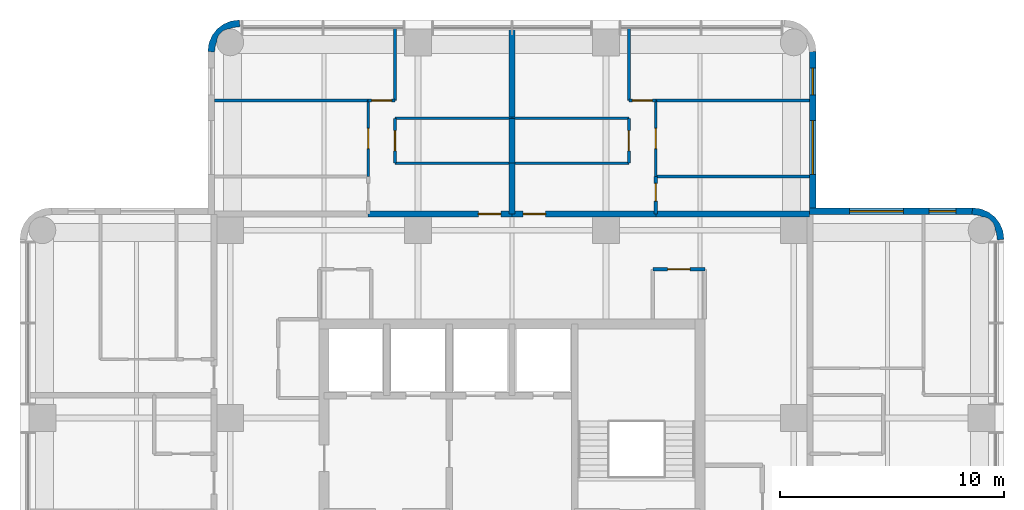
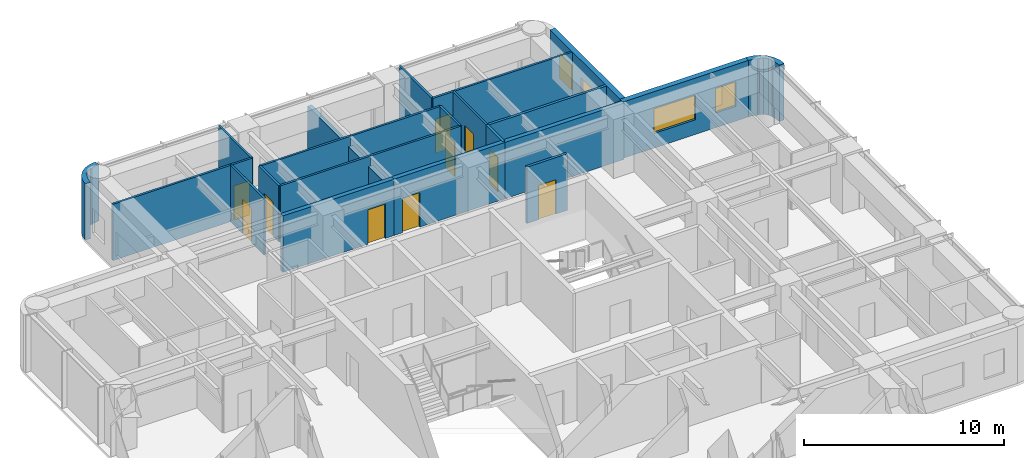
# One storey, part 8 of 10: 27 walls, 10 doors, 4 windows, 14 openings.
"""IFC4 building model written with IfcOpenShell, lengths in metres."""

from ifc_helpers import new_model, si_unit, direction, frame, frame_2d, origin, place, context, subcontext, project, spatial, polyline, rectangle, outline, extrude, material, layer, layer_set, type_object, element, fill, save


model = new_model("IFC4")

# Units and contexts
model_context = context("Model", 3, precision=1e-05, world=origin(), true_north=direction((0.0, 1.0)))
body_context = subcontext(model_context, "Body", "Model", "MODEL_VIEW")
ifc_project = project(units=[si_unit("LENGTHUNIT", "METRE"), si_unit("AREAUNIT", "SQUARE_METRE"), si_unit("VOLUMEUNIT", "CUBIC_METRE"), si_unit("PLANEANGLEUNIT", "RADIAN"), si_unit("MASSUNIT", "GRAM", prefix="KILO")], contexts=[model_context])

# Site, building, storey
site_placement = place(None, origin())
site = spatial("IfcSite", under=ifc_project, at=site_placement, CompositionType="ELEMENT")
building_placement = place(site_placement, origin())
building = spatial("IfcBuilding", under=site, at=building_placement, Name="Torre Alcanfor", CompositionType="ELEMENT")
storey_placement = place(building_placement, frame((0.0, 0.0, 286.5)))
storey = spatial("IfcBuildingStorey", under=building, at=storey_placement, Name="L75", CompositionType="ELEMENT", Elevation=286.5)

# Wall, opening, door
ifc_material_1 = material(Name="Concrete block masonry, hollow blocks NMX-C-404 9 MPa", Category="masonry")
ifc_layer_1 = layer(ifc_material_1, 0.25)
ifc_layer_set_1 = layer_set([ifc_layer_1], Name="Apartment entrance wall 250 EI 60")
wall_type_1 = type_object("IfcWallType", Name="Apartment entrance wall 250 EI 60", PredefinedType="PARTITIONING", material=ifc_layer_set_1)
wall_1_placement = place(storey_placement, frame((22.970947265625, 42.72509765625, 0.0), z_axis=(0.0, 0.0, 1.0), x_axis=(1.0, 0.0, 0.0)))
wall_1 = element("IfcWall", 1, at=wall_1_placement, inside=storey, type_object=wall_type_1, Name="Partition L75-CORR / L75-N1-LIVING", PredefinedType="PARTITIONING", context=body_context, shape_type="SweptSolid", body=[
    extrude(rectangle(XDim=6.428955078125, YDim=0.25, at=frame_2d((3.21435546875, 0.0))), origin(), (0.0, 0.0, 1.0), 3.449951171875),
])
opening_1_placement = place(wall_1_placement, frame((4.928955078125, 0.0, 0.0)))
opening_1 = element("IfcOpeningElement", 2, at=opening_1_placement, cuts=wall_1, Name="Opening D-A1", PredefinedType="OPENING", context=body_context, shape_type="SweptSolid", body=[
    extrude(rectangle(XDim=1.0, YDim=2.10009765625, at=frame_2d((0.5, 1.050048828125))), frame((0.0, 0.135009765625, 0.0), z_axis=(0.0, -1.0, 0.0), x_axis=(1.0, 0.0, 0.0)), (0.0, 0.0, 1.0), 0.27001953125),
])
ifc_material_2 = material(Name="Galvanised steel sheet ASTM A653", Category="steel")
door_type_1 = type_object("IfcDoorType", Name="Apartment entrance door FD60 1000x2100", OperationType="SINGLE_SWING_LEFT", PredefinedType="DOOR", material=ifc_material_2)
door_1_placement = place(opening_1_placement, origin())
door_1 = element("IfcDoor", 3, at=door_1_placement, inside=storey, type_object=door_type_1, Name="Apartment entrance L75-N1", OperationType="SINGLE_SWING_RIGHT", OverallHeight=2.10009765625, OverallWidth=1.0, PredefinedType="DOOR", context=body_context, shape_type="SweptSolid", body=[
    extrude(rectangle(XDim=1.0, YDim=2.10009765625, at=frame_2d((0.5, 1.050048828125))), frame((0.0, 0.02490234375, 0.0), z_axis=(0.0, -1.0, 0.0), x_axis=(1.0, 0.0, 0.0)), (0.0, 0.0, 1.0), 0.050048828125),
])
fill(opening_1, door_1)

wall_2_placement = place(storey_placement, frame((29.39990234375, 42.72509765625, 0.0), z_axis=(0.0, 0.0, 1.0), x_axis=(1.0, 0.0, 0.0)))
wall_2 = element("IfcWall", 4, at=wall_2_placement, inside=storey, type_object=wall_type_1, Name="Partition L75-CORR / L75-N2-LIVING", PredefinedType="PARTITIONING", context=body_context, shape_type="SweptSolid", body=[
    extrude(rectangle(XDim=6.42919921875, YDim=0.25, at=frame_2d((3.214599609375, 0.0))), origin(), (0.0, 0.0, 1.0), 3.449951171875),
])
opening_2_placement = place(wall_2_placement, frame((0.5, 0.0, 0.0)))
opening_2 = element("IfcOpeningElement", 5, at=opening_2_placement, cuts=wall_2, Name="Opening D-A1", PredefinedType="OPENING", context=body_context, shape_type="SweptSolid", body=[
    extrude(rectangle(XDim=1.0, YDim=2.10009765625, at=frame_2d((0.5, 1.050048828125))), frame((0.0, 0.135009765625, 0.0), z_axis=(0.0, -1.0, 0.0), x_axis=(1.0, 0.0, 0.0)), (0.0, 0.0, 1.0), 0.27001953125),
])
door_2_placement = place(opening_2_placement, origin())
door_2 = element("IfcDoor", 6, at=door_2_placement, inside=storey, type_object=door_type_1, Name="Apartment entrance L75-N2", OperationType="SINGLE_SWING_LEFT", OverallHeight=2.10009765625, OverallWidth=1.0, PredefinedType="DOOR", context=body_context, shape_type="SweptSolid", body=[
    extrude(rectangle(XDim=1.0, YDim=2.10009765625, at=frame_2d((0.5, 1.050048828125))), frame((0.0, 0.02490234375, 0.0), z_axis=(0.0, -1.0, 0.0), x_axis=(1.0, 0.0, 0.0)), (0.0, 0.0, 1.0), 0.050048828125),
])
fill(opening_2, door_2)

# Walls
wall_3_placement = place(storey_placement, frame((35.8291015625, 42.72509765625, 0.0), z_axis=(0.0, 0.0, 1.0), x_axis=(1.0, 0.0, 0.0)))
element("IfcWall", 7, at=wall_3_placement, inside=storey, type_object=wall_type_1, Name="Partition L75-CORR / L75-N2-BATH", PredefinedType="PARTITIONING", context=body_context, shape_type="SweptSolid", body=[
    extrude(rectangle(XDim=6.870849609375, YDim=0.25, at=frame_2d((3.435546875, 0.0))), origin(), (0.0, 0.0, 1.0), 3.449951171875),
])
ifc_material_3 = material(Name="Gypsum board on steel studs", Category="steel")
ifc_layer_2 = layer(ifc_material_3, 0.1201171875)
ifc_layer_set_2 = layer_set([ifc_layer_2], Name="Apartment partition 120")
wall_type_2 = type_object("IfcWallType", Name="Apartment partition 120", PredefinedType="PARTITIONING", material=ifc_layer_set_2)
wall_4_placement = place(storey_placement, frame((29.39990234375, 47.0, 0.0), z_axis=(0.0, 0.0, 1.0), x_axis=(-1.0, 0.0, 0.0)))
element("IfcWall", 8, at=wall_4_placement, inside=storey, type_object=wall_type_2, Name="Partition L75-N1-KITCHEN / L75-N1-LIVING", PredefinedType="PARTITIONING", context=body_context, shape_type="SweptSolid", body=[
    extrude(rectangle(XDim=5.22900390625, YDim=0.1201171875, at=frame_2d((2.614501953125, 0.0))), origin(), (0.0, 0.0, 1.0), 3.449951171875),
])

# Wall, opening, door
wall_5_placement = place(storey_placement, frame((24.1708984375, 47.0, 0.0), z_axis=(0.0, 0.0, 1.0), x_axis=(0.0, -1.0, 0.0)))
wall_5 = element("IfcWall", 9, at=wall_5_placement, inside=storey, type_object=wall_type_2, Name="Partition L75-N1-KITCHEN / L75-N1-LIVING", PredefinedType="PARTITIONING", context=body_context, shape_type="SweptSolid", body=[
    extrude(rectangle(XDim=2.0, YDim=0.1201171875, at=frame_2d((1.0, 0.0))), origin(), (0.0, 0.0, 1.0), 3.449951171875),
])
opening_3_placement = place(wall_5_placement, frame((0.550048828125, 0.0, 0.0)))
opening_3 = element("IfcOpeningElement", 10, at=opening_3_placement, cuts=wall_5, Name="Opening D-R1", PredefinedType="OPENING", context=body_context, shape_type="SweptSolid", body=[
    extrude(rectangle(XDim=0.89990234375, YDim=2.10009765625, at=frame_2d((0.449951171875, 1.050048828125))), frame((0.0, 0.070068359375, 0.0), z_axis=(0.0, -1.0, 0.0), x_axis=(1.0, 0.0, 0.0)), (0.0, 0.0, 1.0), 0.14013671875),
])
ifc_material_4 = material(Name="Timber", Category="wood")
door_type_2 = type_object("IfcDoorType", Name="Internal door 900x2100", OperationType="SINGLE_SWING_LEFT", PredefinedType="DOOR", material=ifc_material_4)
door_3_placement = place(opening_3_placement, origin())
door_3 = element("IfcDoor", 11, at=door_3_placement, inside=storey, type_object=door_type_2, Name="Door L75-N1 kitchen", OperationType="SINGLE_SWING_LEFT", OverallHeight=2.10009765625, OverallWidth=0.89990234375, PredefinedType="DOOR", context=body_context, shape_type="SweptSolid", body=[
    extrude(rectangle(XDim=0.89990234375, YDim=2.10009765625, at=frame_2d((0.449951171875, 1.050048828125))), frame((0.0, 0.02490234375, 0.0), z_axis=(0.0, -1.0, 0.0), x_axis=(1.0, 0.0, 0.0)), (0.0, 0.0, 1.0), 0.050048828125),
])
fill(opening_3, door_3)

# Wall
wall_6_placement = place(storey_placement, frame((24.1708984375, 45.0, 0.0), z_axis=(0.0, 0.0, 1.0), x_axis=(1.0, 0.0, 0.0)))
element("IfcWall", 12, at=wall_6_placement, inside=storey, type_object=wall_type_2, Name="Partition L75-N1-KITCHEN / L75-N1-LIVING", PredefinedType="PARTITIONING", context=body_context, shape_type="SweptSolid", body=[
    extrude(rectangle(XDim=5.22900390625, YDim=0.1201171875, at=frame_2d((2.614501953125, 0.0))), origin(), (0.0, 0.0, 1.0), 3.449951171875),
])

# Wall, opening, door
wall_7_placement = place(storey_placement, frame((22.970947265625, 44.39990234375, 0.0), z_axis=(0.0, 0.0, 1.0), x_axis=(0.0, 1.0, 0.0)))
wall_7 = element("IfcWall", 13, at=wall_7_placement, inside=storey, type_object=wall_type_2, Name="Partition L75-N1-LIVING / L75-N1-STUDY", PredefinedType="PARTITIONING", context=body_context, shape_type="SweptSolid", body=[
    extrude(rectangle(XDim=3.400146484375, YDim=0.1201171875, at=frame_2d((1.7001953125, 0.0))), origin(), (0.0, 0.0, 1.0), 3.449951171875),
])
opening_4_placement = place(wall_7_placement, frame((1.25, 0.0, 0.0)))
opening_4 = element("IfcOpeningElement", 14, at=opening_4_placement, cuts=wall_7, Name="Opening D-R1", PredefinedType="OPENING", context=body_context, shape_type="SweptSolid", body=[
    extrude(rectangle(XDim=0.89990234375, YDim=2.10009765625, at=frame_2d((0.449951171875, 1.050048828125))), frame((0.0, 0.070068359375, 0.0), z_axis=(0.0, -1.0, 0.0), x_axis=(1.0, 0.0, 0.0)), (0.0, 0.0, 1.0), 0.14013671875),
])
door_4_placement = place(opening_4_placement, origin())
door_4 = element("IfcDoor", 15, at=door_4_placement, inside=storey, type_object=door_type_2, Name="Door L75-N1 study", OperationType="SINGLE_SWING_LEFT", OverallHeight=2.10009765625, OverallWidth=0.89990234375, PredefinedType="DOOR", context=body_context, shape_type="SweptSolid", body=[
    extrude(rectangle(XDim=0.89990234375, YDim=2.10009765625, at=frame_2d((0.449951171875, 1.050048828125))), frame((0.0, 0.02490234375, 0.0), z_axis=(0.0, -1.0, 0.0), x_axis=(1.0, 0.0, 0.0)), (0.0, 0.0, 1.0), 0.050048828125),
])
fill(opening_4, door_4)

wall_8_placement = place(storey_placement, frame((22.970947265625, 47.800048828125, 0.0), z_axis=(0.0, 0.0, 1.0), x_axis=(1.0, 0.0, 0.0)))
wall_8 = element("IfcWall", 16, at=wall_8_placement, inside=storey, type_object=wall_type_2, Name="Partition L75-N1-LIVING / L75-N1-MASTER", PredefinedType="PARTITIONING", context=body_context, shape_type="SweptSolid", body=[
    extrude(rectangle(XDim=1.199951171875, YDim=0.1201171875, at=frame_2d((0.60009765625, 0.0))), origin(), (0.0, 0.0, 1.0), 3.449951171875),
])
opening_5_placement = place(wall_8_placement, frame((0.14892578125, 0.0, 0.0)))
opening_5 = element("IfcOpeningElement", 17, at=opening_5_placement, cuts=wall_8, Name="Opening D-R1", PredefinedType="OPENING", context=body_context, shape_type="SweptSolid", body=[
    extrude(rectangle(XDim=0.89990234375, YDim=2.10009765625, at=frame_2d((0.449951171875, 1.050048828125))), frame((0.0, 0.070068359375, 0.0), z_axis=(0.0, -1.0, 0.0), x_axis=(1.0, 0.0, 0.0)), (0.0, 0.0, 1.0), 0.14013671875),
])
door_5_placement = place(opening_5_placement, origin())
door_5 = element("IfcDoor", 18, at=door_5_placement, inside=storey, type_object=door_type_2, Name="Door L75-N1 master", OperationType="SINGLE_SWING_RIGHT", OverallHeight=2.10009765625, OverallWidth=0.89990234375, PredefinedType="DOOR", context=body_context, shape_type="SweptSolid", body=[
    extrude(rectangle(XDim=0.89990234375, YDim=2.10009765625, at=frame_2d((0.449951171875, 1.050048828125))), frame((0.0, 0.02490234375, 0.0), z_axis=(0.0, -1.0, 0.0), x_axis=(1.0, 0.0, 0.0)), (0.0, 0.0, 1.0), 0.050048828125),
])
fill(opening_5, door_5)

# Walls
wall_9_placement = place(storey_placement, frame((24.1708984375, 47.800048828125, 0.0), z_axis=(0.0, 0.0, 1.0), x_axis=(0.0, 1.0, 0.0)))
element("IfcWall", 19, at=wall_9_placement, inside=storey, type_object=wall_type_2, Name="Partition L75-N1-LIVING / L75-N1-MASTER", PredefinedType="PARTITIONING", context=body_context, shape_type="SweptSolid", body=[
    extrude(rectangle(XDim=3.25, YDim=0.1201171875, at=frame_2d((1.625, 0.0))), origin(), (0.0, 0.0, 1.0), 3.449951171875),
])
wall_10_placement = place(storey_placement, frame((22.970947265625, 47.800048828125, 0.0), z_axis=(0.0, 0.0, 1.0), x_axis=(-1.0, 0.0, 0.0)))
element("IfcWall", 20, at=wall_10_placement, inside=storey, type_object=wall_type_2, Name="Partition L75-N1-STUDY / L75-N1-MASTER", PredefinedType="PARTITIONING", context=body_context, shape_type="SweptSolid", body=[
    extrude(rectangle(XDim=6.870849609375, YDim=0.1201171875, at=frame_2d((3.435546875, 0.0))), origin(), (0.0, 0.0, 1.0), 3.449951171875),
])
wall_11_placement = place(storey_placement, frame((29.39990234375, 47.0, 0.0), z_axis=(0.0, 0.0, 1.0), x_axis=(1.0, 0.0, 0.0)))
element("IfcWall", 21, at=wall_11_placement, inside=storey, type_object=wall_type_2, Name="Partition L75-N2-KITCHEN / L75-N2-LIVING", PredefinedType="PARTITIONING", context=body_context, shape_type="SweptSolid", body=[
    extrude(rectangle(XDim=5.22900390625, YDim=0.1201171875, at=frame_2d((2.614501953125, 0.0))), origin(), (0.0, 0.0, 1.0), 3.449951171875),
])

# Wall, opening, door
wall_12_placement = place(storey_placement, frame((34.62890625, 47.0, 0.0), z_axis=(0.0, 0.0, 1.0), x_axis=(0.0, -1.0, 0.0)))
wall_12 = element("IfcWall", 22, at=wall_12_placement, inside=storey, type_object=wall_type_2, Name="Partition L75-N2-KITCHEN / L75-N2-LIVING", PredefinedType="PARTITIONING", context=body_context, shape_type="SweptSolid", body=[
    extrude(rectangle(XDim=2.0, YDim=0.1201171875, at=frame_2d((1.0, 0.0))), origin(), (0.0, 0.0, 1.0), 3.449951171875),
])
opening_6_placement = place(wall_12_placement, frame((0.550048828125, 0.0, 0.0)))
opening_6 = element("IfcOpeningElement", 23, at=opening_6_placement, cuts=wall_12, Name="Opening D-R1", PredefinedType="OPENING", context=body_context, shape_type="SweptSolid", body=[
    extrude(rectangle(XDim=0.89990234375, YDim=2.10009765625, at=frame_2d((0.449951171875, 1.050048828125))), frame((0.0, 0.070068359375, 0.0), z_axis=(0.0, -1.0, 0.0), x_axis=(1.0, 0.0, 0.0)), (0.0, 0.0, 1.0), 0.14013671875),
])
door_6_placement = place(opening_6_placement, frame((0.89990234375, 0.0, 0.0), z_axis=(0.0, 0.0, 1.0), x_axis=(-1.0, 0.0, 0.0)))
door_6 = element("IfcDoor", 24, at=door_6_placement, inside=storey, type_object=door_type_2, Name="Door L75-N2 kitchen", OperationType="SINGLE_SWING_RIGHT", OverallHeight=2.10009765625, OverallWidth=0.89990234375, PredefinedType="DOOR", context=body_context, shape_type="SweptSolid", body=[
    extrude(rectangle(XDim=0.89990234375, YDim=2.10009765625, at=frame_2d((0.449951171875, 1.050048828125))), frame((0.0, 0.025146484375, 0.0), z_axis=(0.0, -1.0, 0.0), x_axis=(1.0, 0.0, 0.0)), (0.0, 0.0, 1.0), 0.050048828125),
])
fill(opening_6, door_6)

# Wall
wall_13_placement = place(storey_placement, frame((34.62890625, 45.0, 0.0), z_axis=(0.0, 0.0, 1.0), x_axis=(-1.0, 0.0, 0.0)))
element("IfcWall", 25, at=wall_13_placement, inside=storey, type_object=wall_type_2, Name="Partition L75-N2-KITCHEN / L75-N2-LIVING", PredefinedType="PARTITIONING", context=body_context, shape_type="SweptSolid", body=[
    extrude(rectangle(XDim=5.22900390625, YDim=0.1201171875, at=frame_2d((2.614501953125, 0.0))), origin(), (0.0, 0.0, 1.0), 3.449951171875),
])

# Wall, opening, door
wall_14_placement = place(storey_placement, frame((35.8291015625, 47.800048828125, 0.0), z_axis=(0.0, 0.0, 1.0), x_axis=(0.0, -1.0, 0.0)))
wall_14 = element("IfcWall", 26, at=wall_14_placement, inside=storey, type_object=wall_type_2, Name="Partition L75-N2-LIVING / L75-N2-STUDY", PredefinedType="PARTITIONING", context=body_context, shape_type="SweptSolid", body=[
    extrude(rectangle(XDim=3.400146484375, YDim=0.1201171875, at=frame_2d((1.7001953125, 0.0))), origin(), (0.0, 0.0, 1.0), 3.449951171875),
])
opening_7_placement = place(wall_14_placement, frame((1.25, 0.0, 0.0)))
opening_7 = element("IfcOpeningElement", 27, at=opening_7_placement, cuts=wall_14, Name="Opening D-R1", PredefinedType="OPENING", context=body_context, shape_type="SweptSolid", body=[
    extrude(rectangle(XDim=0.89990234375, YDim=2.10009765625, at=frame_2d((0.449951171875, 1.050048828125))), frame((0.0, 0.070068359375, 0.0), z_axis=(0.0, -1.0, 0.0), x_axis=(1.0, 0.0, 0.0)), (0.0, 0.0, 1.0), 0.14013671875),
])
door_7_placement = place(opening_7_placement, origin())
door_7 = element("IfcDoor", 28, at=door_7_placement, inside=storey, type_object=door_type_2, Name="Door L75-N2 study", OperationType="SINGLE_SWING_LEFT", OverallHeight=2.10009765625, OverallWidth=0.89990234375, PredefinedType="DOOR", context=body_context, shape_type="SweptSolid", body=[
    extrude(rectangle(XDim=0.89990234375, YDim=2.10009765625, at=frame_2d((0.449951171875, 1.050048828125))), frame((0.0, 0.02490234375, 0.0), z_axis=(0.0, -1.0, 0.0), x_axis=(1.0, 0.0, 0.0)), (0.0, 0.0, 1.0), 0.050048828125),
])
fill(opening_7, door_7)

# Wall
wall_15_placement = place(storey_placement, frame((34.62890625, 51.050048828125, 0.0), z_axis=(0.0, 0.0, 1.0), x_axis=(0.0, -1.0, 0.0)))
element("IfcWall", 29, at=wall_15_placement, inside=storey, type_object=wall_type_2, Name="Partition L75-N2-LIVING / L75-N2-MASTER", PredefinedType="PARTITIONING", context=body_context, shape_type="SweptSolid", body=[
    extrude(rectangle(XDim=3.25, YDim=0.1201171875, at=frame_2d((1.625, 0.0))), origin(), (0.0, 0.0, 1.0), 3.449951171875),
])

# Wall, opening, door
wall_16_placement = place(storey_placement, frame((34.62890625, 47.800048828125, 0.0), z_axis=(0.0, 0.0, 1.0), x_axis=(1.0, 0.0, 0.0)))
wall_16 = element("IfcWall", 30, at=wall_16_placement, inside=storey, type_object=wall_type_2, Name="Partition L75-N2-LIVING / L75-N2-MASTER", PredefinedType="PARTITIONING", context=body_context, shape_type="SweptSolid", body=[
    extrude(rectangle(XDim=1.2001953125, YDim=0.1201171875, at=frame_2d((0.60009765625, 0.0))), origin(), (0.0, 0.0, 1.0), 3.449951171875),
])
opening_8_placement = place(wall_16_placement, frame((0.15087890625, 0.0, 0.0)))
opening_8 = element("IfcOpeningElement", 31, at=opening_8_placement, cuts=wall_16, Name="Opening D-R1", PredefinedType="OPENING", context=body_context, shape_type="SweptSolid", body=[
    extrude(rectangle(XDim=0.89990234375, YDim=2.10009765625, at=frame_2d((0.449951171875, 1.050048828125))), frame((0.0, 0.070068359375, 0.0), z_axis=(0.0, -1.0, 0.0), x_axis=(1.0, 0.0, 0.0)), (0.0, 0.0, 1.0), 0.14013671875),
])
door_8_placement = place(opening_8_placement, origin())
door_8 = element("IfcDoor", 32, at=door_8_placement, inside=storey, type_object=door_type_2, Name="Door L75-N2 master", OperationType="SINGLE_SWING_LEFT", OverallHeight=2.10009765625, OverallWidth=0.89990234375, PredefinedType="DOOR", context=body_context, shape_type="SweptSolid", body=[
    extrude(rectangle(XDim=0.89990234375, YDim=2.10009765625, at=frame_2d((0.449951171875, 1.050048828125))), frame((0.0, 0.02490234375, 0.0), z_axis=(0.0, -1.0, 0.0), x_axis=(1.0, 0.0, 0.0)), (0.0, 0.0, 1.0), 0.050048828125),
])
fill(opening_8, door_8)

# Wall
wall_17_placement = place(storey_placement, frame((35.8291015625, 47.800048828125, 0.0), z_axis=(0.0, 0.0, 1.0), x_axis=(1.0, 0.0, 0.0)))
element("IfcWall", 33, at=wall_17_placement, inside=storey, type_object=wall_type_2, Name="Partition L75-N2-STUDY / L75-N2-MASTER", PredefinedType="PARTITIONING", context=body_context, shape_type="SweptSolid", body=[
    extrude(rectangle(XDim=6.870849609375, YDim=0.1201171875, at=frame_2d((3.435546875, 0.0))), origin(), (0.0, 0.0, 1.0), 3.449951171875),
])

# Wall, openings, windows
ifc_material_5 = material(Name="Limestone cladding", Category="masonry")
ifc_layer_3 = layer(ifc_material_5, 0.0400390625, Name="Facing")
ifc_material_6 = material(Name="Ventilated air cavity")
ifc_layer_4 = layer(ifc_material_6, 0.02001953125, ventilated=True, Name="Ventilated joint")
ifc_material_7 = material(Name="Mineral wool insulation", Category="insulation")
ifc_layer_5 = layer(ifc_material_7, 0.10009765625, Name="Insulation")
ifc_material_8 = material(Name="Concrete f'c 35 MPa", Category="concrete")
ifc_layer_6 = layer(ifc_material_8, 0.139892578125, Name="Backing")
ifc_layer_set_3 = layer_set([ifc_layer_3, ifc_layer_4, ifc_layer_5, ifc_layer_6], Name="External wall stone-clad 300")
wall_type_3 = type_object("IfcWallType", Name="External wall stone-clad 300", PredefinedType="SOLIDWALL", material=ifc_layer_set_3)
wall_18_placement = place(storey_placement, frame((50.0, 42.85009765625, 0.0), z_axis=(0.0, 0.0, 1.0), x_axis=(-1.0, 0.0, 0.0)))
wall_18 = element("IfcWall", 34, at=wall_18_placement, inside=storey, type_object=wall_type_3, Name="External wall L75 9", PredefinedType="SOLIDWALL", context=body_context, shape_type="SweptSolid", body=[
    extrude(rectangle(XDim=7.300048828125, YDim=0.300048828125, at=frame_2d((3.64990234375, 0.0))), origin(), (0.0, 0.0, 1.0), 3.449951171875),
])
opening_9_placement = place(wall_18_placement, frame((3.10009765625, 0.0, 0.89990234375)))
opening_9 = element("IfcOpeningElement", 35, at=opening_9_placement, cuts=wall_18, Name="Opening W1", PredefinedType="OPENING", context=body_context, shape_type="SweptSolid", body=[
    extrude(rectangle(XDim=2.39990234375, YDim=1.5, at=frame_2d((1.199951171875, 0.75))), frame((0.0, 0.159912109375, 0.0), z_axis=(0.0, -1.0, 0.0), x_axis=(1.0, 0.0, 0.0)), (0.0, 0.0, 1.0), 0.320068359375),
])
opening_10_placement = place(wall_18_placement, frame((0.75, 0.0, 0.89990234375)))
opening_10 = element("IfcOpeningElement", 36, at=opening_10_placement, cuts=wall_18, Name="Opening W4", PredefinedType="OPENING", context=body_context, shape_type="SweptSolid", body=[
    extrude(rectangle(XDim=1.199951171875, YDim=1.5, at=frame_2d((0.60009765625, 0.75))), frame((0.0, 0.159912109375, 0.0), z_axis=(0.0, -1.0, 0.0), x_axis=(1.0, 0.0, 0.0)), (0.0, 0.0, 1.0), 0.320068359375),
])
ifc_material_9 = material(Name="Aluminium frame with clear double glazing", Category="aluminium")
window_type_1 = type_object("IfcWindowType", Name="Window bedroom 1200x1500", PartitioningType="SINGLE_PANEL", PredefinedType="WINDOW", material=ifc_material_9)
window_1_placement = place(opening_10_placement, origin())
window_1 = element("IfcWindow", 37, at=window_1_placement, inside=storey, type_object=window_type_1, Name="Window W4 L75-E1", OverallHeight=1.5, OverallWidth=1.199951171875, PartitioningType="SINGLE_PANEL", PredefinedType="WINDOW", context=body_context, shape_type="SweptSolid", body=[
    extrude(rectangle(XDim=1.199951171875, YDim=1.5, at=frame_2d((0.60009765625, 0.75))), frame((0.0, 0.030029296875, 0.0), z_axis=(0.0, -1.0, 0.0), x_axis=(1.0, 0.0, 0.0)), (0.0, 0.0, 1.0), 0.06005859375),
])
fill(opening_10, window_1)
ifc_material_10 = material(Name="Aluminium frame with clear double glazing", Category="aluminium")
window_type_2 = type_object("IfcWindowType", Name="Window bedroom 2400x1500", PartitioningType="SINGLE_PANEL", PredefinedType="WINDOW", material=ifc_material_10)
window_2_placement = place(opening_9_placement, origin())
window_2 = element("IfcWindow", 38, at=window_2_placement, inside=storey, type_object=window_type_2, Name="Window W1 L75-E1", OverallHeight=1.5, OverallWidth=2.39990234375, PartitioningType="SINGLE_PANEL", PredefinedType="WINDOW", context=body_context, shape_type="SweptSolid", body=[
    extrude(rectangle(XDim=2.39990234375, YDim=1.5, at=frame_2d((1.199951171875, 0.75))), frame((0.0, 0.030029296875, 0.0), z_axis=(0.0, -1.0, 0.0), x_axis=(1.0, 0.0, 0.0)), (0.0, 0.0, 1.0), 0.06005859375),
])
fill(opening_9, window_2)

wall_19_placement = place(storey_placement, frame((42.85009765625, 43.0, 0.0), z_axis=(0.0, 0.0, 1.0), x_axis=(0.0, 1.0, 0.0)))
wall_19 = element("IfcWall", 39, at=wall_19_placement, inside=storey, type_object=wall_type_3, Name="External wall L75 10", PredefinedType="SOLIDWALL", context=body_context, shape_type="SweptSolid", body=[
    extrude(rectangle(XDim=7.0, YDim=0.300048828125, at=frame_2d((3.5, 0.0))), origin(), (0.0, 0.0, 1.0), 3.449951171875),
])
opening_11_placement = place(wall_19_placement, frame((1.5, 0.0, 0.89990234375)))
opening_11 = element("IfcOpeningElement", 40, at=opening_11_placement, cuts=wall_19, Name="Opening W1", PredefinedType="OPENING", context=body_context, shape_type="SweptSolid", body=[
    extrude(rectangle(XDim=2.39990234375, YDim=1.5, at=frame_2d((1.199951171875, 0.75))), frame((0.0, 0.159912109375, 0.0), z_axis=(0.0, -1.0, 0.0), x_axis=(1.0, 0.0, 0.0)), (0.0, 0.0, 1.0), 0.320068359375),
])
opening_12_placement = place(wall_19_placement, frame((5.050048828125, 0.0, 0.89990234375)))
opening_12 = element("IfcOpeningElement", 41, at=opening_12_placement, cuts=wall_19, Name="Opening W4", PredefinedType="OPENING", context=body_context, shape_type="SweptSolid", body=[
    extrude(rectangle(XDim=1.199951171875, YDim=1.5, at=frame_2d((0.60009765625, 0.75))), frame((0.0, 0.159912109375, 0.0), z_axis=(0.0, -1.0, 0.0), x_axis=(1.0, 0.0, 0.0)), (0.0, 0.0, 1.0), 0.320068359375),
])
window_3_placement = place(opening_12_placement, origin())
window_3 = element("IfcWindow", 42, at=window_3_placement, inside=storey, type_object=window_type_1, Name="Window W4 L75-N2", OverallHeight=1.5, OverallWidth=1.199951171875, PartitioningType="SINGLE_PANEL", PredefinedType="WINDOW", context=body_context, shape_type="SweptSolid", body=[
    extrude(rectangle(XDim=1.199951171875, YDim=1.5, at=frame_2d((0.60009765625, 0.75))), frame((0.0, 0.030029296875, 0.0), z_axis=(0.0, -1.0, 0.0), x_axis=(1.0, 0.0, 0.0)), (0.0, 0.0, 1.0), 0.06005859375),
])
fill(opening_12, window_3)
window_4_placement = place(opening_11_placement, origin())
window_4 = element("IfcWindow", 43, at=window_4_placement, inside=storey, type_object=window_type_2, Name="Window W1 L75-N2", OverallHeight=1.5, OverallWidth=2.39990234375, PartitioningType="SINGLE_PANEL", PredefinedType="WINDOW", context=body_context, shape_type="SweptSolid", body=[
    extrude(rectangle(XDim=2.39990234375, YDim=1.5, at=frame_2d((1.199951171875, 0.75))), frame((0.0, 0.030029296875, 0.0), z_axis=(0.0, -1.0, 0.0), x_axis=(1.0, 0.0, 0.0)), (0.0, 0.0, 1.0), 0.06005859375),
])
fill(opening_11, window_4)

# Walls
ifc_material_11 = material(Name="Concrete block masonry, hollow blocks NMX-C-404 9 MPa", Category="masonry")
ifc_layer_7 = layer(ifc_material_11, 0.25)
ifc_layer_set_4 = layer_set([ifc_layer_7], Name="Party wall 250 EI 60")
wall_type_4 = type_object("IfcWallType", Name="Party wall 250 EI 60", PredefinedType="PARTITIONING", material=ifc_layer_set_4)
wall_20_placement = place(storey_placement, frame((29.39990234375, 45.0, 0.0), z_axis=(0.0, 0.0, 1.0), x_axis=(0.0, 1.0, 0.0)))
element("IfcWall", 44, at=wall_20_placement, inside=storey, type_object=wall_type_4, Name="Partition L75-N1-KITCHEN / L75-N2-KITCHEN", PredefinedType="PARTITIONING", context=body_context, shape_type="SweptSolid", body=[
    extrude(rectangle(XDim=2.0, YDim=0.25, at=frame_2d((1.0, 0.0))), origin(), (0.0, 0.0, 1.0), 2.847900390625),
])
wall_21_placement = place(storey_placement, frame((29.39990234375, 45.0, 0.0), z_axis=(0.0, 0.0, 1.0), x_axis=(0.0, -1.0, 0.0)))
element("IfcWall", 45, at=wall_21_placement, inside=storey, type_object=wall_type_4, Name="Partition L75-N1-LIVING / L75-N2-LIVING", PredefinedType="PARTITIONING", context=body_context, shape_type="SweptSolid", body=[
    extrude(rectangle(XDim=2.27490234375, YDim=0.25, at=frame_2d((1.137451171875, 0.0))), origin(), (0.0, 0.0, 1.0), 2.847900390625),
])
wall_22_placement = place(storey_placement, frame((29.39990234375, 51.050048828125, 0.0), z_axis=(0.0, 0.0, 1.0), x_axis=(0.0, -1.0, 0.0)))
element("IfcWall", 46, at=wall_22_placement, inside=storey, type_object=wall_type_4, Name="Partition L75-N1-LIVING / L75-N2-LIVING", PredefinedType="PARTITIONING", context=body_context, shape_type="SweptSolid", body=[
    extrude(rectangle(XDim=4.050048828125, YDim=0.25, at=frame_2d((2.02490234375, 0.0))), origin(), (0.0, 0.0, 1.0), 2.847900390625),
])

# Wall, opening, door
ifc_material_12 = material(Name="Concrete block masonry, hollow blocks NMX-C-404 9 MPa", Category="masonry")
ifc_layer_8 = layer(ifc_material_12, 0.14990234375)
ifc_layer_set_5 = layer_set([ifc_layer_8], Name="Residents' room partition 150")
wall_type_5 = type_object("IfcWallType", Name="Residents' room partition 150", PredefinedType="PARTITIONING", material=ifc_layer_set_5)
wall_23_placement = place(storey_placement, frame((38.02490234375, 40.25, 0.0), z_axis=(0.0, 0.0, 1.0), x_axis=(-1.0, 0.0, 0.0)))
wall_23 = element("IfcWall", 47, at=wall_23_placement, inside=storey, type_object=wall_type_5, Name="Partition L75-CORR / L75-G02", PredefinedType="PARTITIONING", context=body_context, shape_type="SweptSolid", body=[
    extrude(rectangle(XDim=2.324951171875, YDim=0.14990234375, at=frame_2d((1.16259765625, 0.0))), origin(), (0.0, 0.0, 1.0), 3.449951171875),
])
opening_13_placement = place(wall_23_placement, frame((0.66259765625, 0.0, 0.0)))
opening_13 = element("IfcOpeningElement", 48, at=opening_13_placement, cuts=wall_23, Name="Opening D-M1", PredefinedType="OPENING", context=body_context, shape_type="SweptSolid", body=[
    extrude(rectangle(XDim=1.0, YDim=2.10009765625, at=frame_2d((0.5, 1.050048828125))), frame((0.0, 0.0849609375, 0.0), z_axis=(0.0, -1.0, 0.0), x_axis=(1.0, 0.0, 0.0)), (0.0, 0.0, 1.0), 0.169921875),
])
ifc_material_13 = material(Name="Timber", Category="wood")
door_type_3 = type_object("IfcDoorType", Name="Residents' room door 1000x2100", OperationType="SINGLE_SWING_LEFT", PredefinedType="DOOR", material=ifc_material_13)
door_9_placement = place(opening_13_placement, origin())
door_9 = element("IfcDoor", 49, at=door_9_placement, inside=storey, type_object=door_type_3, Name="Door L75-G02 parcel room", OperationType="SINGLE_SWING_LEFT", OverallHeight=2.10009765625, OverallWidth=1.0, PredefinedType="DOOR", context=body_context, shape_type="SweptSolid", body=[
    extrude(rectangle(XDim=1.0, YDim=2.10009765625, at=frame_2d((0.5, 1.050048828125))), frame((0.0, 0.02490234375, 0.0), z_axis=(0.0, -1.0, 0.0), x_axis=(1.0, 0.0, 0.0)), (0.0, 0.0, 1.0), 0.050048828125),
])
fill(opening_13, door_9)

# Walls
ifc_layer_9 = layer(ifc_material_5, 0.0400390625, Name="Facing")
ifc_layer_10 = layer(ifc_material_6, 0.02001953125, ventilated=True, Name="Ventilated joint")
ifc_layer_11 = layer(ifc_material_7, 0.10009765625, Name="Insulation")
ifc_layer_12 = layer(ifc_material_8, 0.139892578125, Name="Backing")
ifc_layer_set_6 = layer_set([ifc_layer_9, ifc_layer_10, ifc_layer_11, ifc_layer_12], Name="Rounded corner pier stone-clad 300")
wall_type_6 = type_object("IfcWallType", Name="Rounded corner pier stone-clad 300", PredefinedType="SOLIDWALL", material=ifc_layer_set_6)
wall_24_placement = place(storey_placement, frame((50.975898117, 41.638418254, 0.0), z_axis=(0.0, 0.0, 1.0), x_axis=(0.707106781187, 0.707106781187, 0.0)))
element("IfcWall", 50, at=wall_24_placement, inside=storey, type_object=wall_type_6, Name="Corner pier L75 18", PredefinedType="SOLIDWALL", context=body_context, shape_type="SweptSolid", body=[
    extrude(outline(polyline([(0.23318643990489343, 0.11416555226925765), (0.04674226908422171, -0.12890240376361806), (0.032758956272671336, -0.14288571657516844), (0.27271950945853585, -0.32691301851483145), (0.4952440800028376, -0.03706138628528721), (0.6350772081183413, 0.3006097230899294), (0.682724051772513, 0.6627947882582343), (0.6350772081183413, 1.0253251204095404), (0.4952440800028376, 1.3629962297847569), (0.27271950945853585, 1.6528478620143012), (0.032586322781170685, 1.4686479265831376), (0.04656963559272109, 1.454664613771587), (0.2330138064133928, 1.2115966577387114), (0.2922270939981062, 1.0691740272506984), (0.35800045425984317, 1.0034006669889615), (0.44949620475517277, 0.7824297978681654), (0.4493235712636722, 0.5433324121398039), (0.3578278207683425, 0.32236154301900777), (0.29222709399810615, 0.2567608162487714), (0.23318643990489343, 0.11416555226925765)])), origin(), (0.0, 0.0, 1.0), 3.449951171875),
])
wall_25_placement = place(storey_placement, frame((17.161581746, 50.975898117, 0.0), z_axis=(0.0, 0.0, 1.0), x_axis=(-0.707106781187, 0.707106781187, 0.0)))
element("IfcWall", 51, at=wall_25_placement, inside=storey, type_object=wall_type_6, Name="Corner pier L75 20", PredefinedType="SOLIDWALL", context=body_context, shape_type="SweptSolid", body=[
    extrude(outline(polyline([(0.04670774238592209, -0.12893693046191768), (0.03272442957437171, -0.14292024327346806), (0.2726849827602362, -0.3269475452131311), (0.495209553304538, -0.03709591298358683), (0.6350426814200417, 0.3005751963916298), (0.6826895250742134, 0.6627602615599347), (0.6350426814200417, 1.0252905937112406), (0.495209553304538, 1.3629617030864574), (0.2726849827602362, 1.6528133353160017), (0.032551796082871065, 1.468613399884838), (0.04653510889442147, 1.4546300870732876), (0.23315191320659384, 1.2117347645319125), (0.2921925672998066, 1.069139500552399), (0.35796592756154355, 1.003366140290662), (0.44946167805687315, 0.7823952711698656), (0.44928904456537255, 0.5432978854415043), (0.3579659275615435, 0.32249964981220874), (0.2921925672998065, 0.2567262895504718), (0.2331519132065938, 0.11413102557095803), (0.04670774238592209, -0.12893693046191768)])), origin(), (0.0, 0.0, 1.0), 3.449951171875),
])

# Wall, opening, door
ifc_material_14 = material(Name="Cement board on steel studs", Category="steel")
ifc_layer_13 = layer(ifc_material_14, 0.14990234375)
ifc_layer_set_7 = layer_set([ifc_layer_13], Name="Wet area partition 150")
wall_type_7 = type_object("IfcWallType", Name="Wet area partition 150", PredefinedType="PARTITIONING", material=ifc_layer_set_7)
wall_26_placement = place(storey_placement, frame((35.8291015625, 44.39990234375, 0.0), z_axis=(0.0, 0.0, 1.0), x_axis=(0.0, -1.0, 0.0)))
wall_26 = element("IfcWall", 52, at=wall_26_placement, inside=storey, type_object=wall_type_7, Name="Partition L75-N2-LIVING / L75-N2-BATH", PredefinedType="PARTITIONING", context=body_context, shape_type="SweptSolid", body=[
    extrude(rectangle(XDim=1.6748046875, YDim=0.14990234375, at=frame_2d((0.83740234375, 0.0))), origin(), (0.0, 0.0, 1.0), 3.449951171875),
])
opening_14_placement = place(wall_26_placement, frame((0.300048828125, 0.0, 0.0)))
opening_14 = element("IfcOpeningElement", 53, at=opening_14_placement, cuts=wall_26, Name="Opening D-R2", PredefinedType="OPENING", context=body_context, shape_type="SweptSolid", body=[
    extrude(rectangle(XDim=0.800048828125, YDim=2.10009765625, at=frame_2d((0.39990234375, 1.050048828125))), frame((0.0, 0.0849609375, 0.0), z_axis=(0.0, -1.0, 0.0), x_axis=(1.0, 0.0, 0.0)), (0.0, 0.0, 1.0), 0.169921875),
])
ifc_material_15 = material(Name="Timber", Category="wood")
door_type_4 = type_object("IfcDoorType", Name="Bathroom door 800x2100", OperationType="SINGLE_SWING_LEFT", PredefinedType="DOOR", material=ifc_material_15)
door_10_placement = place(opening_14_placement, origin())
door_10 = element("IfcDoor", 54, at=door_10_placement, inside=storey, type_object=door_type_4, Name="Door L75-N2 bath", OperationType="SINGLE_SWING_LEFT", OverallHeight=2.10009765625, OverallWidth=0.800048828125, PredefinedType="DOOR", context=body_context, shape_type="SweptSolid", body=[
    extrude(rectangle(XDim=0.800048828125, YDim=2.10009765625, at=frame_2d((0.39990234375, 1.050048828125))), frame((0.0, 0.02490234375, 0.0), z_axis=(0.0, -1.0, 0.0), x_axis=(1.0, 0.0, 0.0)), (0.0, 0.0, 1.0), 0.050048828125),
])
fill(opening_14, door_10)

# Wall
wall_27_placement = place(storey_placement, frame((35.8291015625, 44.39990234375, 0.0), z_axis=(0.0, 0.0, 1.0), x_axis=(1.0, 0.0, 0.0)))
element("IfcWall", 55, at=wall_27_placement, inside=storey, type_object=wall_type_7, Name="Partition L75-N2-BATH / L75-N2-STUDY", PredefinedType="PARTITIONING", context=body_context, shape_type="SweptSolid", body=[
    extrude(rectangle(XDim=6.870849609375, YDim=0.14990234375, at=frame_2d((3.435546875, 0.0))), origin(), (0.0, 0.0, 1.0), 3.449951171875),
])

save(model, "model.ifc")
